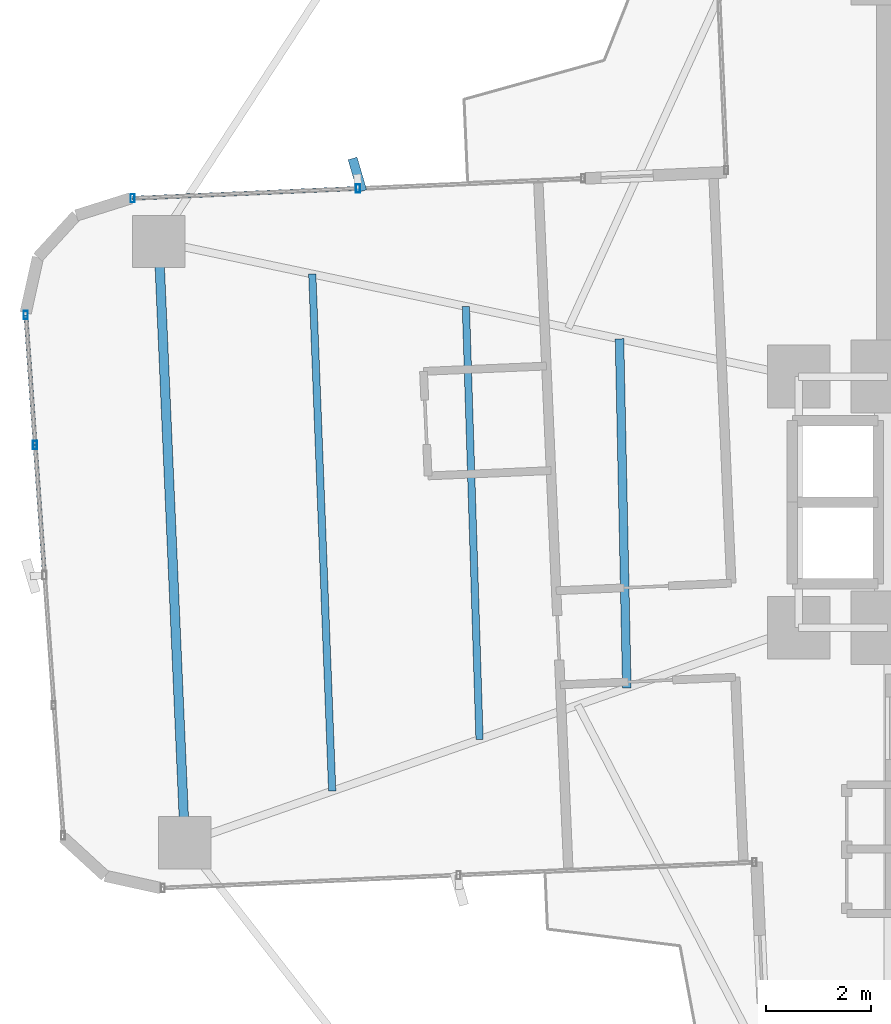
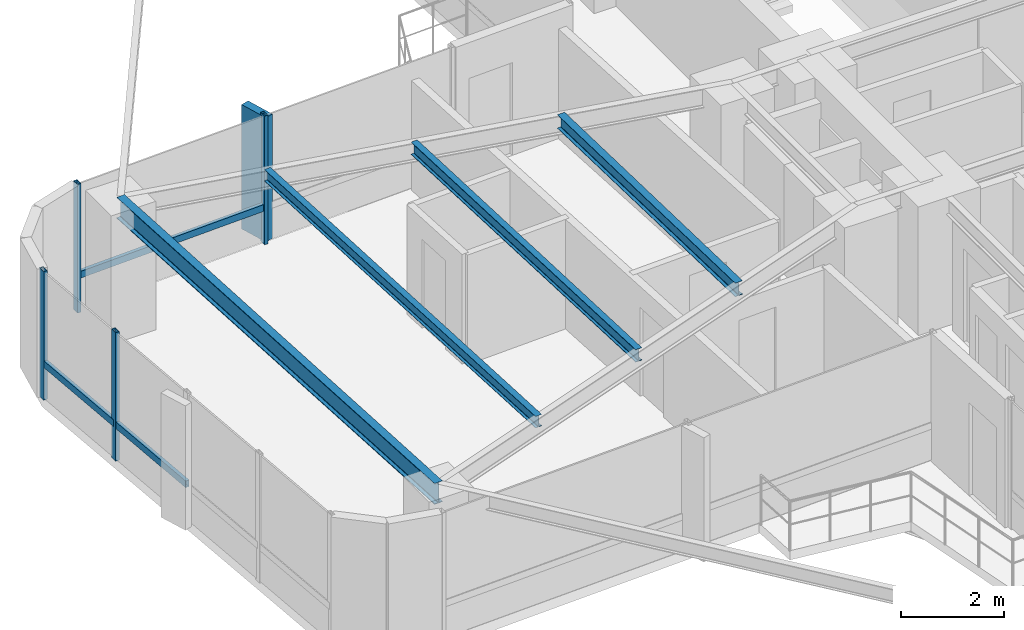
# One storey, part 9 of 27: 8 members, 4 beams, 2 elements without a shape of their own.
"""IFC4 building model written with IfcOpenShell, lengths in metres."""

from ifc_helpers import new_model, si_unit, direction, frame, origin, origin_2d, place, context, subcontext, project, spatial, rectangle, hollow_rectangle, i_section, extrude, source, transform, mapped, material, material_profile, profile_set, type_object, element, aggregate, save


model = new_model("IFC4")

# Units and contexts
model_context = context("Model", 3, precision=1e-05, world=origin(), true_north=direction((0.0, 1.0)))
body_context = subcontext(model_context, "Body", "Model", "MODEL_VIEW")
ifc_project = project(units=[si_unit("LENGTHUNIT", "METRE"), si_unit("AREAUNIT", "SQUARE_METRE"), si_unit("VOLUMEUNIT", "CUBIC_METRE"), si_unit("PLANEANGLEUNIT", "RADIAN"), si_unit("MASSUNIT", "GRAM", prefix="KILO")], contexts=[model_context])

# Site, building, storey
site_placement = place(None, origin())
site = spatial("IfcSite", under=ifc_project, at=site_placement, CompositionType="ELEMENT")
building_placement = place(site_placement, origin())
building = spatial("IfcBuilding", under=site, at=building_placement, Name="Sahyath Konkavel Grand Hotel", CompositionType="ELEMENT")
storey_placement = place(building_placement, frame((0.0, 0.0, 103.60009765625)))
storey = spatial("IfcBuildingStorey", under=building, at=storey_placement, Name="L28", CompositionType="ELEMENT", Elevation=103.60009765625)

# Beams
ifc_material_1 = material(Name="Steel E350", Category="steel")
ifc_material_profile_1 = material_profile(ifc_material_1, i_section(OverallWidth=0.179931640625, OverallDepth=0.5, WebThickness=0.01025390625, FlangeThickness=0.01708984375, FilletRadius=0.01708984375, at=origin_2d()), Name="ISMB 500")
ifc_profile_set_1 = profile_set([ifc_material_profile_1], Name="Steel E350")
beam_type_1 = type_object("IfcBeamType", Name="BM-ISMB500", PredefinedType="BEAM", material=ifc_profile_set_1)
shared_shape_1 = source(origin(), body_context, "Body", "SweptSolid", [
    extrude(i_section(OverallWidth=0.179931640625, OverallDepth=0.5, WebThickness=0.01025390625, FlangeThickness=0.01708984375, FilletRadius=0.01708984375, at=origin_2d()), origin(), (0.0, 0.0, 1.0), 11.5),
])
beam_1_placement = place(storey_placement, frame((-17.734130859375, 4.981201171875, 2.7998046875), z_axis=(0.043627008892, -0.99904788879, 0.0), x_axis=(0.99904788879, 0.043627008892, 0.0)))
element("IfcBeam", 1, at=beam_1_placement, inside=storey, type_object=beam_type_1, Name="L28 Wing Tip Edge Beam W", PredefinedType="BEAM", context=body_context, shape_type="MappedRepresentation", body=[
    mapped(shared_shape_1, transform((0.0, 0.0, 0.0), scale=1.0)),
])
ifc_material_profile_2 = material_profile(ifc_material_1, i_section(OverallWidth=0.1650390625, OverallDepth=0.324951171875, WebThickness=0.007080078125, FlangeThickness=0.009765625, FilletRadius=0.014892578125, at=origin_2d()), Name="ISLB 325")
ifc_profile_set_2 = profile_set([ifc_material_profile_2], Name="Steel E350")
beam_type_2 = type_object("IfcBeamType", Name="BM-ISLB325", PredefinedType="BEAM", material=ifc_profile_set_2)
shared_shape_2 = source(origin(), body_context, "Body", "SweptSolid", [
    extrude(i_section(OverallWidth=0.1650390625, OverallDepth=0.324951171875, WebThickness=0.007080078125, FlangeThickness=0.009765625, FilletRadius=0.014892578125, at=origin_2d()), origin(), (0.0, 0.0, 1.0), 6.674560546875),
])
beam_2_placement = place(storey_placement, frame((-8.925537109375, 3.122802734375, 2.887451171875), z_axis=(0.021032188543, -0.999778799058, 0.0), x_axis=(0.999778799058, 0.021032188543, 0.0)))
element("IfcBeam", 2, at=beam_2_placement, inside=storey, type_object=beam_type_2, Name="L28 Secondary Floor Beam W-1", PredefinedType="BEAM", context=body_context, shape_type="MappedRepresentation", body=[
    mapped(shared_shape_2, transform((0.0, 0.0, 0.0), scale=1.0)),
])
ifc_material_profile_3 = material_profile(ifc_material_1, i_section(OverallWidth=0.139892578125, OverallDepth=0.300048828125, WebThickness=0.0078125, FlangeThickness=0.01318359375, FilletRadius=0.013916015625, at=origin_2d()), Name="ISMB 300")
ifc_profile_set_3 = profile_set([ifc_material_profile_3], Name="Steel E350")
beam_type_3 = type_object("IfcBeamType", Name="BM-ISMB300", PredefinedType="BEAM", material=ifc_profile_set_3)
shared_shape_3 = source(origin(), body_context, "Body", "SweptSolid", [
    extrude(i_section(OverallWidth=0.139892578125, OverallDepth=0.300048828125, WebThickness=0.0078125, FlangeThickness=0.01318359375, FilletRadius=0.013916015625, at=origin_2d()), origin(), (0.0, 0.0, 1.0), 8.282470703125),
])
beam_3_placement = place(storey_placement, frame((-11.86181640625, 3.7421875, 2.89990234375), z_axis=(0.031510827707, -0.999503410568, 0.0), x_axis=(0.999503410568, 0.031510827707, 0.0)))
element("IfcBeam", 3, at=beam_3_placement, inside=storey, type_object=beam_type_3, Name="L28 Secondary Floor Beam W-2", PredefinedType="BEAM", context=body_context, shape_type="MappedRepresentation", body=[
    mapped(shared_shape_3, transform((0.0, 0.0, 0.0), scale=1.0)),
])
ifc_material_profile_4 = material_profile(ifc_material_1, i_section(OverallWidth=0.139892578125, OverallDepth=0.27490234375, WebThickness=0.00634765625, FlangeThickness=0.0087890625, FilletRadius=0.012939453125, at=origin_2d()), Name="ISLB 275")
ifc_profile_set_4 = profile_set([ifc_material_profile_4], Name="Steel E350")
beam_type_4 = type_object("IfcBeamType", Name="BM-ISLB275", PredefinedType="BEAM", material=ifc_profile_set_4)
shared_shape_4 = source(origin(), body_context, "Body", "SweptSolid", [
    extrude(i_section(OverallWidth=0.139892578125, OverallDepth=0.27490234375, WebThickness=0.00634765625, FlangeThickness=0.0087890625, FilletRadius=0.012939453125, at=origin_2d()), origin(), (0.0, 0.0, 1.0), 9.89111328125),
])
beam_4_placement = place(storey_placement, frame((-14.798095703125, 4.36181640625, 2.912353515625), z_axis=(0.03855445741, -0.999256500511, 0.0), x_axis=(0.999256500511, 0.03855445741, 0.0)))
element("IfcBeam", 4, at=beam_4_placement, inside=storey, type_object=beam_type_4, Name="L28 Secondary Floor Beam W-3", PredefinedType="BEAM", context=body_context, shape_type="MappedRepresentation", body=[
    mapped(shared_shape_4, transform((0.0, 0.0, 0.0), scale=1.0)),
])

# Curtain wall, member
ifc_material_2 = material(Name="Anodised Bronze Aluminium & Low-E Glazing", Category="aluminium")
curtain_wall_type = type_object("IfcCurtainWallType", Name="CW-ZONE2", PredefinedType="NOTDEFINED", material=ifc_material_2)
curtain_wall_1_placement = place(storey_placement, origin())
curtain_wall_1 = element("IfcCurtainWall", 5, at=curtain_wall_1_placement, inside=storey, type_object=curtain_wall_type, Name="L28 Unitised Curtain Wall F16", PredefinedType="NOTDEFINED")
ifc_material_3 = material(Name="Anodised Bronze Aluminium", Category="aluminium")
ifc_material_profile_5 = material_profile(ifc_material_3, hollow_rectangle(XDim=0.080078125, YDim=0.159912109375, WallThickness=0.006103515625, at=origin_2d()), Name="RHS 160x80x6")
ifc_profile_set_5 = profile_set([ifc_material_profile_5], Name="Anodised Bronze Aluminium")
member_type_1 = type_object("IfcMemberType", Name="CW-TRN-160", PredefinedType="USERDEFINED", material=ifc_profile_set_5)
shared_shape_5 = source(origin(), body_context, "Body", "SweptSolid", [
    extrude(hollow_rectangle(XDim=0.080078125, YDim=0.159912109375, WallThickness=0.006103515625, at=origin_2d()), origin(), (0.0, 0.0, 1.0), 4.31005859375),
])
member_1_placement = place(storey_placement, frame((-13.9248046875, 5.998291015625, 0.849853515625), z_axis=(-0.999048340188, -0.043616670746, 0.0), x_axis=(0.043616670746, -0.999048340188, 0.0)))
member_1 = element("IfcMember", 6, at=member_1_placement, type_object=member_type_1, Name="L28 Curtain Wall Transom F16-1-spandrel", ObjectType="TRANSOM", PredefinedType="USERDEFINED", context=body_context, shape_type="MappedRepresentation", body=[
    mapped(shared_shape_5, transform((0.0, 0.0, 0.0), scale=1.0)),
])

# Curtain wall, members
curtain_wall_2_placement = place(storey_placement, origin())
curtain_wall_2 = element("IfcCurtainWall", 7, at=curtain_wall_2_placement, inside=storey, type_object=curtain_wall_type, Name="L28 Unitised Curtain Wall F20", PredefinedType="NOTDEFINED")
shared_shape_6 = source(origin(), body_context, "Body", "SweptSolid", [
    extrude(hollow_rectangle(XDim=0.080078125, YDim=0.159912109375, WallThickness=0.006103515625, at=origin_2d()), origin(), (0.0, 0.0, 1.0), 2.493408203125),
])
member_2_placement = place(storey_placement, frame((-20.2744140625, 3.5791015625, 0.849853515625), z_axis=(0.071574084062, -0.997435286367, 0.0), x_axis=(0.997435286367, 0.071574084062, 0.0)))
member_2 = element("IfcMember", 8, at=member_2_placement, type_object=member_type_1, Name="L28 Curtain Wall Transom F20-0-spandrel", ObjectType="TRANSOM", PredefinedType="USERDEFINED", context=body_context, shape_type="MappedRepresentation", body=[
    mapped(shared_shape_6, transform((0.0, 0.0, 0.0), scale=1.0)),
])
member_3_placement = place(storey_placement, frame((-20.095947265625, 1.092041015625, 0.849853515625), z_axis=(0.071574084062, -0.997435286367, 0.0), x_axis=(0.997435286367, 0.071574084062, 0.0)))
member_3 = element("IfcMember", 9, at=member_3_placement, type_object=member_type_1, Name="L28 Curtain Wall Transom F20-1-spandrel", ObjectType="TRANSOM", PredefinedType="USERDEFINED", context=body_context, shape_type="MappedRepresentation", body=[
    mapped(shared_shape_6, transform((0.0, 0.0, 0.0), scale=1.0)),
])

# Member
ifc_material_profile_6 = material_profile(ifc_material_3, hollow_rectangle(XDim=0.080078125, YDim=0.159912109375, WallThickness=0.006103515625, at=origin_2d()), Name="RHS 160x80x6")
ifc_profile_set_6 = profile_set([ifc_material_profile_6], Name="Anodised Bronze Aluminium")
member_type_2 = type_object("IfcMemberType", Name="CW-MUL-160", PredefinedType="MULLION", material=ifc_profile_set_6)
shared_shape_7 = source(origin(), body_context, "Body", "SweptSolid", [
    extrude(hollow_rectangle(XDim=0.080078125, YDim=0.159912109375, WallThickness=0.006103515625, at=origin_2d()), origin(), (0.0, 0.0, 1.0), 3.0498046875),
])
member_4_placement = place(storey_placement, frame((-13.9248046875, 5.998291015625, 0.0), z_axis=(0.0, 0.0, 1.0), x_axis=(1.0, 0.0, 0.0)))
member_4 = element("IfcMember", 10, at=member_4_placement, type_object=member_type_2, Name="L28 Curtain Wall Mullion F16-1", PredefinedType="MULLION", context=body_context, shape_type="MappedRepresentation", body=[
    mapped(shared_shape_7, transform((0.0, 0.0, 0.0), scale=1.0)),
])

member_5_placement = place(storey_placement, frame((-18.230712890625, 5.810302734375, 0.0), z_axis=(0.0, 0.0, 1.0), x_axis=(1.0, 0.0, 0.0)))
member_5 = element("IfcMember", 11, at=member_5_placement, type_object=member_type_2, Name="L28 Curtain Wall Mullion F16-2", PredefinedType="MULLION", context=body_context, shape_type="MappedRepresentation", body=[
    mapped(shared_shape_7, transform((0.0, 0.0, 0.0), scale=1.0)),
])

member_6_placement = place(storey_placement, frame((-20.2744140625, 3.5791015625, 0.0), z_axis=(0.0, 0.0, 1.0), x_axis=(1.0, 0.0, 0.0)))
member_6 = element("IfcMember", 12, at=member_6_placement, type_object=member_type_2, Name="L28 Curtain Wall Mullion F20-0", PredefinedType="MULLION", context=body_context, shape_type="MappedRepresentation", body=[
    mapped(shared_shape_7, transform((0.0, 0.0, 0.0), scale=1.0)),
])

member_7_placement = place(storey_placement, frame((-20.095947265625, 1.092041015625, 0.0), z_axis=(0.0, 0.0, 1.0), x_axis=(1.0, 0.0, 0.0)))
member_7 = element("IfcMember", 13, at=member_7_placement, type_object=member_type_2, Name="L28 Curtain Wall Mullion F20-1", PredefinedType="MULLION", context=body_context, shape_type="MappedRepresentation", body=[
    mapped(shared_shape_7, transform((0.0, 0.0, 0.0), scale=1.0)),
])

aggregate(curtain_wall_2, [member_6, member_7, member_2, member_3])

ifc_material_4 = material(Name="Warm Buff Sandstone Cladding on Concrete C50/60", Category="masonry")
ifc_material_profile_7 = material_profile(ifc_material_4, rectangle(XDim=0.179931640625, YDim=0.64990234375, at=origin_2d()), Name="FIN 180x650")
ifc_profile_set_7 = profile_set([ifc_material_profile_7], Name="Warm Buff Sandstone Cladding on Concrete C50/60")
member_type_3 = type_object("IfcMemberType", Name="FIN-SANDSTONE-650", PredefinedType="MULLION", material=ifc_profile_set_7)
shared_shape_8 = source(origin(), body_context, "Body", "SweptSolid", [
    extrude(rectangle(XDim=0.179931640625, YDim=0.64990234375, at=origin_2d()), origin(), (0.0, 0.0, 1.0), 2.9501953125),
])
member_8_placement = place(storey_placement, frame((-13.936279296875, 6.258056640625, 0.0498046875), z_axis=(0.0, 0.0, 1.0), x_axis=(0.959264682049, 0.282508884416, 0.0)))
member_8 = element("IfcMember", 14, at=member_8_placement, type_object=member_type_3, Name="L28 Sandstone Vertical Solar Fin FIN F16-1", PredefinedType="MULLION", context=body_context, shape_type="MappedRepresentation", body=[
    mapped(shared_shape_8, transform((0.0, 0.0, 0.0), scale=1.0)),
])

aggregate(curtain_wall_1, [member_4, member_8, member_5, member_1])

save(model, "model.ifc")
